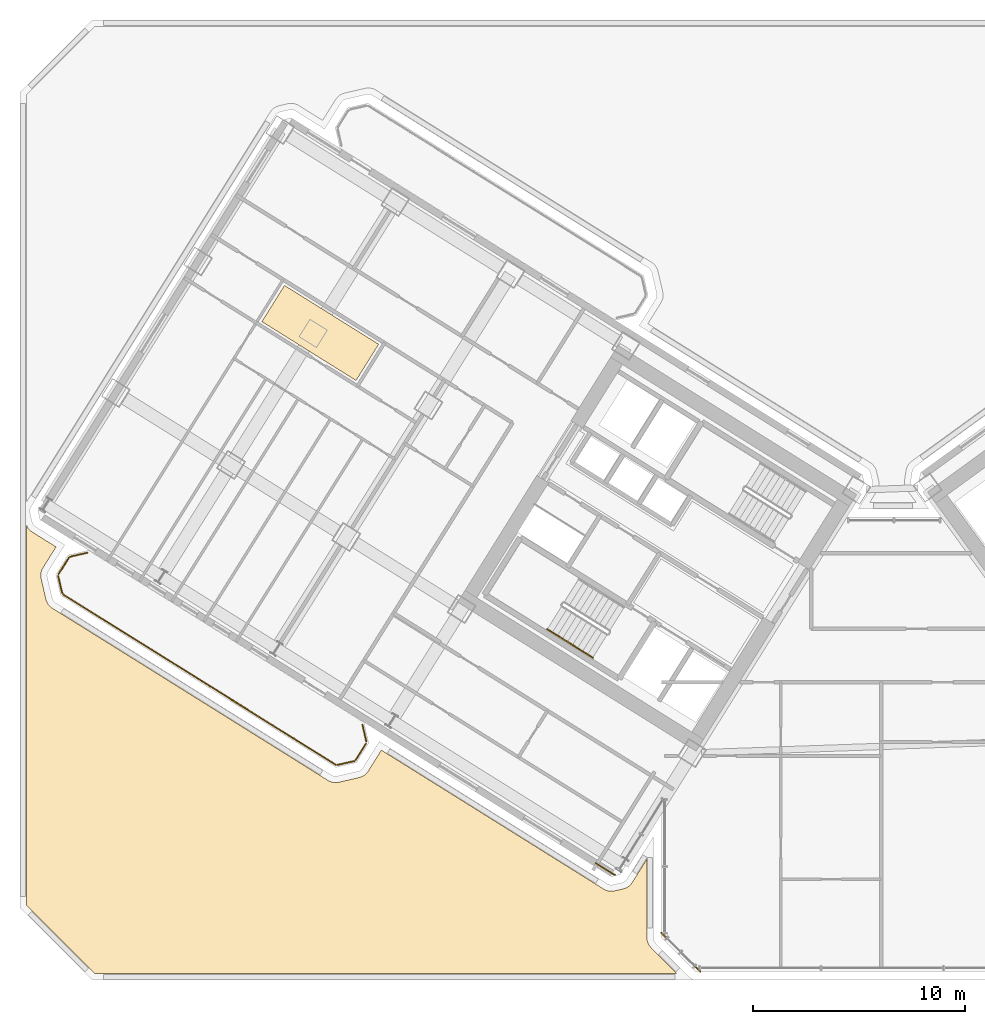
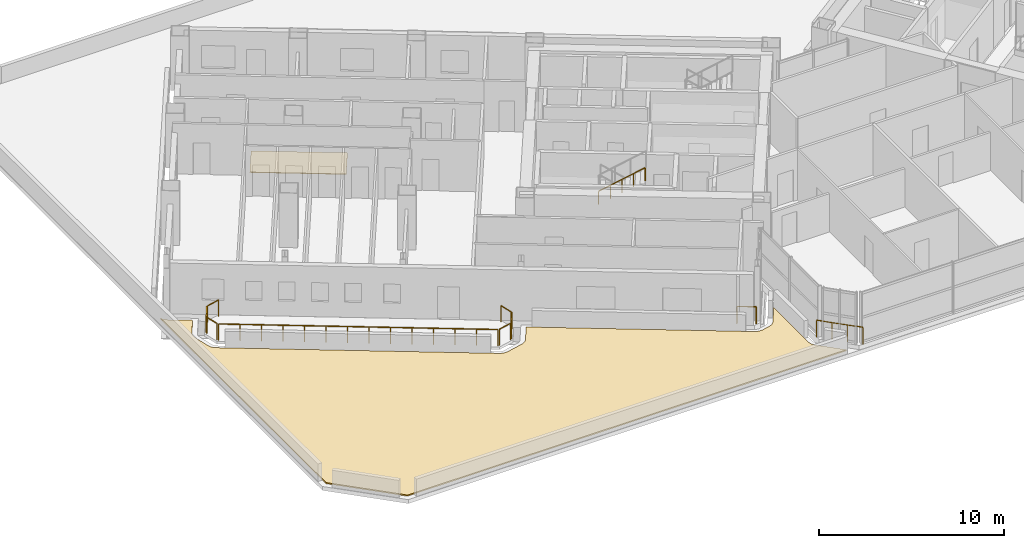
# One storey, part 22 of 28: 11 railings, 2 coverings.
"""IFC4 building model written with IfcOpenShell, lengths in metres."""

from ifc_helpers import new_model, si_unit, direction, frame, origin, origin_2d, place, context, subcontext, project, spatial, polyline, rectangle, outline, extrude, source, transform, mapped, material, layer, layer_set, type_object, element, save


model = new_model("IFC4")

# Units and contexts
model_context = context("Model", 3, precision=1e-05, world=origin(), true_north=direction((0.0, 1.0)))
body_context = subcontext(model_context, "Body", "Model", "MODEL_VIEW")
ifc_project = project(units=[si_unit("LENGTHUNIT", "METRE"), si_unit("AREAUNIT", "SQUARE_METRE"), si_unit("VOLUMEUNIT", "CUBIC_METRE"), si_unit("PLANEANGLEUNIT", "RADIAN"), si_unit("MASSUNIT", "GRAM", prefix="KILO")], contexts=[model_context])

# Site, building, storey
site_placement = place(None, origin())
site = spatial("IfcSite", under=ifc_project, at=site_placement, CompositionType="ELEMENT")
building_placement = place(site_placement, origin())
building = spatial("IfcBuilding", under=site, at=building_placement, Name="Tlacorven Tower", CompositionType="ELEMENT")
storey_placement = place(building_placement, frame((0.0, 0.0, 24.0)))
storey = spatial("IfcBuildingStorey", under=building, at=storey_placement, Name="L05", CompositionType="ELEMENT", Elevation=24.0)

# Coverings
ifc_material_1 = material(Name="Terrazzo and ceramic flooring")
ifc_layer_1 = layer(ifc_material_1, 0.0400390625)
ifc_layer_set_1 = layer_set([ifc_layer_1], Name="Terrazzo and ceramic flooring")
covering_type_1 = type_object("IfcCoveringType", Name="CV-FLR-TERZ", PredefinedType="FLOORING", material=ifc_layer_set_1)
covering_1_placement = place(storey_placement, origin())
element("IfcCovering", 1, at=covering_1_placement, inside=storey, type_object=covering_type_1, Name="L05 Porcelain Wet-Room Floor Finish 6", PredefinedType="FLOORING", context=body_context, shape_type="SweptSolid", body=[
    extrude(outline(polyline([(17.221923828125, 29.6279296875), (12.790771484375, 32.396728515625), (13.85595703125, 34.101318359375), (18.287109375, 31.33251953125), (17.221923828125, 29.6279296875)])), origin(), (0.0, 0.0, 1.0), 0.0400390625),
])
ifc_material_2 = material(Name="EPDM waterproofing membrane and rigid insulation")
ifc_layer_2 = layer(ifc_material_2, 0.080078125)
ifc_layer_set_2 = layer_set([ifc_layer_2], Name="EPDM waterproofing membrane and rigid insulation")
covering_type_2 = type_object("IfcCoveringType", Name="CV-ROF-MEMB", PredefinedType="ROOFING", material=ifc_layer_set_2)
covering_2_placement = place(storey_placement, origin())
element("IfcCovering", 2, at=covering_2_placement, inside=storey, type_object=covering_type_2, Name="L05 Podium Roof Waterproofing Membrane 1.1", PredefinedType="ROOFING", context=body_context, shape_type="SweptSolid", body=[
    extrude(outline(polyline([(1.699951171875, 22.8359375), (1.71337890625, 22.802001953125), (1.725341796875, 22.775146484375), (1.742431640625, 22.741943359375), (1.757080078125, 22.71630859375), (1.77734375, 22.68505859375), (1.79443359375, 22.6611328125), (1.8173828125, 22.6318359375), (1.8369140625, 22.609619140625), (1.86279296875, 22.582763671875), (1.884033203125, 22.5625), (1.91259765625, 22.538330078125), (1.935791015625, 22.5205078125), (1.966552734375, 22.4990234375), (1.978759765625, 22.490966796875), (3.09814453125, 21.79150390625), (2.4833984375, 20.807861328125), (2.47607421875, 20.795166015625), (2.457763671875, 20.762451171875), (2.444580078125, 20.736083984375), (2.4296875, 20.701904296875), (2.41943359375, 20.674560546875), (2.407958984375, 20.638916015625), (2.400146484375, 20.610595703125), (2.392333984375, 20.57421875), (2.387451171875, 20.545166015625), (2.383056640625, 20.508056640625), (2.381103515625, 20.478759765625), (2.38037109375, 20.44140625), (2.38134765625, 20.412109375), (2.38427734375, 20.374755859375), (2.387939453125, 20.345703125), (2.39453125, 20.308837890625), (2.3974609375, 20.29443359375), (2.620361328125, 19.329833984375), (2.6240234375, 19.315673828125), (2.634033203125, 19.27978515625), (2.6435546875, 19.251953125), (2.6572265625, 19.217041015625), (2.669189453125, 19.1904296875), (2.686279296875, 19.1572265625), (2.700927734375, 19.131591796875), (2.720947265625, 19.10009765625), (2.738037109375, 19.076171875), (2.76123046875, 19.046875), (2.780517578125, 19.02490234375), (2.806396484375, 18.998046875), (2.827880859375, 18.977783203125), (2.856201171875, 18.95361328125), (2.879638671875, 18.935546875), (2.91015625, 18.914306640625), (2.92236328125, 18.90625), (15.897705078125, 10.79833984375), (15.910400390625, 10.791015625), (15.94287109375, 10.772705078125), (15.96923828125, 10.759765625), (16.00341796875, 10.744873046875), (16.031005859375, 10.734375), (16.06640625, 10.722900390625), (16.0947265625, 10.715087890625), (16.13134765625, 10.707275390625), (16.160400390625, 10.702392578125), (16.197265625, 10.697998046875), (16.226806640625, 10.696044921875), (16.263916015625, 10.6953125), (16.29345703125, 10.6962890625), (16.33056640625, 10.69921875), (16.35986328125, 10.702880859375), (16.396484375, 10.70947265625), (16.410888671875, 10.712646484375), (17.37548828125, 10.935302734375), (17.3896484375, 10.93896484375), (17.425537109375, 10.948974609375), (17.45361328125, 10.95849609375), (17.48828125, 10.97216796875), (17.51513671875, 10.984130859375), (17.54833984375, 11.001220703125), (17.57373046875, 11.015869140625), (17.605224609375, 11.035888671875), (17.629150390625, 11.052978515625), (17.658447265625, 11.076171875), (17.6806640625, 11.095458984375), (17.70751953125, 11.121337890625), (17.7275390625, 11.142822265625), (17.751953125, 11.171142578125), (17.769775390625, 11.194580078125), (17.791015625, 11.22509765625), (17.79931640625, 11.237548828125), (18.413818359375, 12.22119140625), (28.87890625, 5.681884765625), (28.8916015625, 5.674560546875), (28.924072265625, 5.65625), (28.950439453125, 5.643310546875), (28.984619140625, 5.62841796875), (29.01220703125, 5.617919921875), (29.047607421875, 5.6064453125), (29.076171875, 5.5986328125), (29.112548828125, 5.5908203125), (29.1416015625, 5.5859375), (29.178466796875, 5.58154296875), (29.2080078125, 5.57958984375), (29.2451171875, 5.578857421875), (29.274658203125, 5.579833984375), (29.311767578125, 5.582763671875), (29.341064453125, 5.58642578125), (29.377685546875, 5.593017578125), (29.39208984375, 5.59619140625), (29.805419921875, 5.691650390625), (29.81982421875, 5.695068359375), (29.855712890625, 5.705322265625), (29.883544921875, 5.71484375), (29.918212890625, 5.728271484375), (29.945068359375, 5.740478515625), (29.978271484375, 5.75732421875), (30.00390625, 5.772216796875), (30.03515625, 5.792236328125), (30.059326171875, 5.809326171875), (30.08837890625, 5.83251953125), (30.110595703125, 5.851806640625), (30.137451171875, 5.877685546875), (30.15771484375, 5.899169921875), (30.181884765625, 5.927490234375), (30.199951171875, 5.950927734375), (30.22119140625, 5.9814453125), (30.229248046875, 5.99365234375), (30.919921875, 7.09912109375), (30.919921875, 3.39990234375), (30.92041015625, 3.38525390625), (30.922119140625, 3.34814453125), (30.925048828125, 3.31884765625), (30.9306640625, 3.28173828125), (30.936279296875, 3.2529296875), (30.9453125, 3.216796875), (30.953857421875, 3.188720703125), (30.966552734375, 3.153564453125), (30.977783203125, 3.126220703125), (30.99365234375, 3.092529296875), (31.007568359375, 3.066650390625), (31.026611328125, 3.03466796875), (31.04296875, 3.01025390625), (31.065185546875, 2.980224609375), (31.083984375, 2.95751953125), (31.109130859375, 2.929931640625), (31.119140625, 2.919189453125), (32.33837890625, 1.699951171875), (4.92431640625, 1.699951171875), (1.699951171875, 4.92431640625), (1.699951171875, 22.8359375)])), origin(), (0.0, 0.0, 1.0), 0.080078125),
])

# Railings
ifc_material_3 = material(Name="Aluminium and painted steel balustrade", Category="steel")
railing_type_1 = type_object("IfcRailingType", Name="RL-BAL-1100", PredefinedType="BALUSTRADE", material=ifc_material_3)
shared_shape_1 = source(origin(), body_context, "Body", "SweptSolid", [
    extrude(rectangle(XDim=0.048095703125, YDim=0.048095703125, at=origin_2d()), frame((0.0, 0.0, 1.076171875), z_axis=(0.225058334816, -0.974345290916, 0.0), x_axis=(0.974345290916, 0.225058334816, 0.0)), (0.0, 0.0, 1.0), 0.80712890625),
    extrude(rectangle(XDim=0.0419921875, YDim=0.0419921875, at=origin_2d()), origin(), (0.0, 0.0, 1.0), 1.052001953125),
    extrude(rectangle(XDim=0.0419921875, YDim=0.0419921875, at=origin_2d()), frame((0.181640625, -0.786376953125, 0.0)), (0.0, 0.0, 1.0), 1.052001953125),
])
railing_1_placement = place(storey_placement, frame((17.5244140625, 13.413330078125, 0.0)))
element("IfcRailing", 3, at=railing_1_placement, inside=storey, type_object=railing_type_1, Name="BAL-L05-W-OUT Guard Railing 1", PredefinedType="BALUSTRADE", context=body_context, shape_type="MappedRepresentation", body=[
    mapped(shared_shape_1, transform((0.0, 0.0, 0.0), scale=1.0)),
])
shared_shape_2 = source(origin(), body_context, "Body", "SweptSolid", [
    extrude(rectangle(XDim=0.048095703125, YDim=0.048095703125, at=origin_2d()), frame((0.0, 0.0, 1.076171875), z_axis=(-0.52987865805, -0.848073468364, 0.0), x_axis=(0.848073468364, -0.52987865805, 0.0)), (0.0, 0.0, 1.0), 0.912353515625),
    extrude(rectangle(XDim=0.0419921875, YDim=0.0419921875, at=origin_2d()), origin(), (0.0, 0.0, 1.0), 1.052001953125),
    extrude(rectangle(XDim=0.0419921875, YDim=0.0419921875, at=origin_2d()), frame((-0.4833984375, -0.773681640625, 0.0)), (0.0, 0.0, 1.0), 1.052001953125),
])
railing_2_placement = place(storey_placement, frame((17.690673828125, 12.535888671875, 0.0)))
element("IfcRailing", 4, at=railing_2_placement, inside=storey, type_object=railing_type_1, Name="BAL-L05-W-OUT Guard Railing 2", PredefinedType="BALUSTRADE", context=body_context, shape_type="MappedRepresentation", body=[
    mapped(shared_shape_2, transform((0.0, 0.0, 0.0), scale=1.0)),
])
shared_shape_3 = source(origin(), body_context, "Body", "SweptSolid", [
    extrude(rectangle(XDim=0.048095703125, YDim=0.048095703125, at=origin_2d()), frame((0.0, 0.0, 1.076171875), z_axis=(-0.974411586182, -0.224771129628, 0.0), x_axis=(0.224771129628, -0.974411586182, 0.0)), (0.0, 0.0, 1.0), 0.80712890625),
    extrude(rectangle(XDim=0.0419921875, YDim=0.0419921875, at=origin_2d()), origin(), (0.0, 0.0, 1.0), 1.052001953125),
    extrude(rectangle(XDim=0.0419921875, YDim=0.0419921875, at=origin_2d()), frame((-0.786376953125, -0.181396484375, 0.0)), (0.0, 0.0, 1.0), 1.052001953125),
])
railing_3_placement = place(storey_placement, frame((17.132080078125, 11.70849609375, 0.0)))
element("IfcRailing", 5, at=railing_3_placement, inside=storey, type_object=railing_type_1, Name="BAL-L05-W-OUT Guard Railing 3", PredefinedType="BALUSTRADE", context=body_context, shape_type="MappedRepresentation", body=[
    mapped(shared_shape_3, transform((0.0, 0.0, 0.0), scale=1.0)),
])
shared_shape_4 = source(origin(), body_context, "Body", "SweptSolid", [
    extrude(rectangle(XDim=0.048095703125, YDim=0.048095703125, at=origin_2d()), frame((0.0, 0.0, 1.076171875), z_axis=(-0.848044572804, 0.529924902733, 0.0), x_axis=(-0.529924902733, -0.848044572804, 0.0)), (0.0, 0.0, 1.0), 15.1171875),
    extrude(rectangle(XDim=0.0419921875, YDim=0.0419921875, at=origin_2d()), origin(), (0.0, 0.0, 1.0), 1.052001953125),
    extrude(rectangle(XDim=0.0419921875, YDim=0.0419921875, at=origin_2d()), frame((-0.986083984375, 0.6162109375, 0.0)), (0.0, 0.0, 1.0), 1.052001953125),
    extrude(rectangle(XDim=0.0419921875, YDim=0.0419921875, at=origin_2d()), frame((-1.972412109375, 1.232421875, 0.0)), (0.0, 0.0, 1.0), 1.052001953125),
    extrude(rectangle(XDim=0.0419921875, YDim=0.0419921875, at=origin_2d()), frame((-2.95849609375, 1.8486328125, 0.0)), (0.0, 0.0, 1.0), 1.052001953125),
    extrude(rectangle(XDim=0.0419921875, YDim=0.0419921875, at=origin_2d()), frame((-3.944580078125, 2.46484375, 0.0)), (0.0, 0.0, 1.0), 1.052001953125),
    extrude(rectangle(XDim=0.0419921875, YDim=0.0419921875, at=origin_2d()), frame((-4.930908203125, 3.0810546875, 0.0)), (0.0, 0.0, 1.0), 1.052001953125),
    extrude(rectangle(XDim=0.0419921875, YDim=0.0419921875, at=origin_2d()), frame((-5.9169921875, 3.697265625, 0.0)), (0.0, 0.0, 1.0), 1.052001953125),
    extrude(rectangle(XDim=0.0419921875, YDim=0.0419921875, at=origin_2d()), frame((-6.903076171875, 4.313720703125, 0.0)), (0.0, 0.0, 1.0), 1.052001953125),
    extrude(rectangle(XDim=0.0419921875, YDim=0.0419921875, at=origin_2d()), frame((-7.88916015625, 4.929931640625, 0.0)), (0.0, 0.0, 1.0), 1.052001953125),
    extrude(rectangle(XDim=0.0419921875, YDim=0.0419921875, at=origin_2d()), frame((-8.87548828125, 5.546142578125, 0.0)), (0.0, 0.0, 1.0), 1.052001953125),
    extrude(rectangle(XDim=0.0419921875, YDim=0.0419921875, at=origin_2d()), frame((-9.861572265625, 6.162353515625, 0.0)), (0.0, 0.0, 1.0), 1.052001953125),
    extrude(rectangle(XDim=0.0419921875, YDim=0.0419921875, at=origin_2d()), frame((-10.84765625, 6.778564453125, 0.0)), (0.0, 0.0, 1.0), 1.052001953125),
    extrude(rectangle(XDim=0.0419921875, YDim=0.0419921875, at=origin_2d()), frame((-11.833984375, 7.394775390625, 0.0)), (0.0, 0.0, 1.0), 1.052001953125),
    extrude(rectangle(XDim=0.0419921875, YDim=0.0419921875, at=origin_2d()), frame((-12.820068359375, 8.010986328125, 0.0)), (0.0, 0.0, 1.0), 1.052001953125),
])
railing_4_placement = place(storey_placement, frame((16.254638671875, 11.542236328125, 0.0)))
element("IfcRailing", 6, at=railing_4_placement, inside=storey, type_object=railing_type_1, Name="BAL-L05-W-OUT Guard Railing 4", PredefinedType="BALUSTRADE", context=body_context, shape_type="MappedRepresentation", body=[
    mapped(shared_shape_4, transform((0.0, 0.0, 0.0), scale=1.0)),
])
shared_shape_5 = source(origin(), body_context, "Body", "SweptSolid", [
    extrude(rectangle(XDim=0.048095703125, YDim=0.048095703125, at=origin_2d()), frame((0.0, 0.0, 1.076171875), z_axis=(-0.225058334816, 0.974345290916, 0.0), x_axis=(-0.974345290916, -0.225058334816, 0.0)), (0.0, 0.0, 1.0), 0.80712890625),
    extrude(rectangle(XDim=0.0419921875, YDim=0.0419921875, at=origin_2d()), origin(), (0.0, 0.0, 1.0), 1.052001953125),
    extrude(rectangle(XDim=0.0419921875, YDim=0.0419921875, at=origin_2d()), frame((-0.181640625, 0.786376953125, 0.0)), (0.0, 0.0, 1.0), 1.052001953125),
])
railing_5_placement = place(storey_placement, frame((3.380859375, 19.62841796875, 0.0)))
element("IfcRailing", 7, at=railing_5_placement, inside=storey, type_object=railing_type_1, Name="BAL-L05-W-OUT Guard Railing 5", PredefinedType="BALUSTRADE", context=body_context, shape_type="MappedRepresentation", body=[
    mapped(shared_shape_5, transform((0.0, 0.0, 0.0), scale=1.0)),
])
shared_shape_6 = source(origin(), body_context, "Body", "SweptSolid", [
    extrude(rectangle(XDim=0.048095703125, YDim=0.048095703125, at=origin_2d()), frame((0.0, 0.0, 1.076171875), z_axis=(0.52987865805, 0.848073468364, 0.0), x_axis=(-0.848073468364, 0.52987865805, 0.0)), (0.0, 0.0, 1.0), 0.912353515625),
    extrude(rectangle(XDim=0.0419921875, YDim=0.0419921875, at=origin_2d()), origin(), (0.0, 0.0, 1.0), 1.052001953125),
    extrude(rectangle(XDim=0.0419921875, YDim=0.0419921875, at=origin_2d()), frame((0.4833984375, 0.773681640625, 0.0)), (0.0, 0.0, 1.0), 1.052001953125),
])
railing_6_placement = place(storey_placement, frame((3.214599609375, 20.505859375, 0.0)))
element("IfcRailing", 8, at=railing_6_placement, inside=storey, type_object=railing_type_1, Name="BAL-L05-W-OUT Guard Railing 6", PredefinedType="BALUSTRADE", context=body_context, shape_type="MappedRepresentation", body=[
    mapped(shared_shape_6, transform((0.0, 0.0, 0.0), scale=1.0)),
])
shared_shape_7 = source(origin(), body_context, "Body", "SweptSolid", [
    extrude(rectangle(XDim=0.048095703125, YDim=0.048095703125, at=origin_2d()), frame((0.0, 0.0, 1.076171875), z_axis=(0.974345290916, 0.225058334816, 0.0), x_axis=(-0.225058334816, 0.974345290916, 0.0)), (0.0, 0.0, 1.0), 0.80712890625),
    extrude(rectangle(XDim=0.0419921875, YDim=0.0419921875, at=origin_2d()), origin(), (0.0, 0.0, 1.0), 1.052001953125),
    extrude(rectangle(XDim=0.0419921875, YDim=0.0419921875, at=origin_2d()), frame((0.786376953125, 0.181640625, 0.0)), (0.0, 0.0, 1.0), 1.052001953125),
])
railing_7_placement = place(storey_placement, frame((3.773193359375, 21.3330078125, 0.0)))
element("IfcRailing", 9, at=railing_7_placement, inside=storey, type_object=railing_type_1, Name="BAL-L05-W-OUT Guard Railing 7", PredefinedType="BALUSTRADE", context=body_context, shape_type="MappedRepresentation", body=[
    mapped(shared_shape_7, transform((0.0, 0.0, 0.0), scale=1.0)),
])
railing_type_2 = type_object("IfcRailingType", Name="RL-GRD-1150", PredefinedType="GUARDRAIL", material=ifc_material_3)
shared_shape_8 = source(origin(), body_context, "Body", "SweptSolid", [
    extrude(rectangle(XDim=0.048095703125, YDim=0.048095703125, at=origin_2d()), frame((0.0, 0.0, 1.1259765625), z_axis=(-0.707106781187, 0.707106781187, 0.0), x_axis=(-0.707106781187, -0.707106781187, 0.0)), (0.0, 0.0, 1.0), 2.590087890625),
    extrude(rectangle(XDim=0.0419921875, YDim=0.0419921875, at=origin_2d()), origin(), (0.0, 0.0, 1.0), 1.101806640625),
    extrude(rectangle(XDim=0.0419921875, YDim=0.0419921875, at=origin_2d()), frame((-0.610595703125, 0.610595703125, 0.0)), (0.0, 0.0, 1.0), 1.101806640625),
    extrude(rectangle(XDim=0.0419921875, YDim=0.0419921875, at=origin_2d()), frame((-1.220947265625, 1.220947265625, 0.0)), (0.0, 0.0, 1.0), 1.101806640625),
    extrude(rectangle(XDim=0.0419921875, YDim=0.0419921875, at=origin_2d()), frame((-1.83154296875, 1.83154296875, 0.0)), (0.0, 0.0, 1.0), 1.101806640625),
])
railing_8_placement = place(storey_placement, frame((33.428955078125, 1.79736328125, 0.0)))
element("IfcRailing", 10, at=railing_8_placement, inside=storey, type_object=railing_type_2, Name="L05 Knuckle Glazed Sill Guard 1", PredefinedType="GUARDRAIL", context=body_context, shape_type="MappedRepresentation", body=[
    mapped(shared_shape_8, transform((0.0, 0.0, 0.0), scale=1.0)),
])
shared_shape_9 = source(origin(), body_context, "Body", "SweptSolid", [
    extrude(rectangle(XDim=0.048095703125, YDim=0.048095703125, at=origin_2d()), frame((0.0, 0.0, 1.1259765625), z_axis=(-0.848102774857, 0.529831749973, 0.0), x_axis=(-0.529831749973, -0.848102774857, 0.0)), (0.0, 0.0, 1.0), 1.050048828125),
    extrude(rectangle(XDim=0.0419921875, YDim=0.0419921875, at=origin_2d()), origin(), (0.0, 0.0, 1.0), 1.101806640625),
    extrude(rectangle(XDim=0.0419921875, YDim=0.0419921875, at=origin_2d()), frame((-0.890625, 0.556396484375, 0.0)), (0.0, 0.0, 1.0), 1.101806640625),
])
railing_9_placement = place(storey_placement, frame((29.39501953125, 6.35009765625, 0.0)))
element("IfcRailing", 11, at=railing_9_placement, inside=storey, type_object=railing_type_2, Name="L05 Knuckle Glazed Sill Guard 2", PredefinedType="GUARDRAIL", context=body_context, shape_type="MappedRepresentation", body=[
    mapped(shared_shape_9, transform((0.0, 0.0, 0.0), scale=1.0)),
])
railing_type_3 = type_object("IfcRailingType", Name="RL-HND-0900", PredefinedType="HANDRAIL", material=ifc_material_3)
shared_shape_10 = source(origin(), body_context, "Body", "SweptSolid", [
    extrude(rectangle(XDim=0.048095703125, YDim=0.048095703125, at=origin_2d()), frame((0.0, 0.0, 0.8759765625), z_axis=(0.713359751793, -0.4457479829, 0.540764828981), x_axis=(0.529911857636, 0.848052724267, 0.0)), (0.0, 0.0, 1.0), 1.498046875),
    extrude(rectangle(XDim=0.0419921875, YDim=0.0419921875, at=origin_2d()), origin(), (0.0, 0.0, 1.0), 0.851806640625),
    extrude(rectangle(XDim=0.0419921875, YDim=0.0419921875, at=origin_2d()), frame((0.5341796875, -0.333984375, 0.405029296875)), (0.0, 0.0, 1.0), 0.851806640625),
    extrude(rectangle(XDim=0.0419921875, YDim=0.0419921875, at=origin_2d()), frame((1.068603515625, -0.667724609375, 0.81005859375)), (0.0, 0.0, 1.0), 0.851806640625),
])
railing_10_placement = place(storey_placement, frame((26.228759765625, 17.915283203125, 1.97998046875)))
element("IfcRailing", 12, at=railing_10_placement, inside=storey, type_object=railing_type_3, Name="L05 ST-W1 stair handrail 3", PredefinedType="HANDRAIL", context=body_context, shape_type="MappedRepresentation", body=[
    mapped(shared_shape_10, transform((0.0, 0.0, 0.0), scale=1.0)),
])
shared_shape_11 = source(origin(), body_context, "Body", "SweptSolid", [
    extrude(rectangle(XDim=0.048095703125, YDim=0.048095703125, at=origin_2d()), frame((0.0, 0.0, 0.8759765625), z_axis=(0.713279695859, -0.445799809912, 0.540827703579), x_axis=(0.529998940003, 0.847998304005, 0.0)), (0.0, 0.0, 1.0), 1.497802734375),
    extrude(rectangle(XDim=0.0419921875, YDim=0.0419921875, at=origin_2d()), origin(), (0.0, 0.0, 1.0), 0.851806640625),
    extrude(rectangle(XDim=0.0419921875, YDim=0.0419921875, at=origin_2d()), frame((0.5341796875, -0.333984375, 0.405029296875)), (0.0, 0.0, 1.0), 0.851806640625),
    extrude(rectangle(XDim=0.0419921875, YDim=0.0419921875, at=origin_2d()), frame((1.068359375, -0.667724609375, 0.81005859375)), (0.0, 0.0, 1.0), 0.851806640625),
])
railing_11_placement = place(storey_placement, frame((27.29736328125, 17.24755859375, 2.7900390625)))
element("IfcRailing", 13, at=railing_11_placement, inside=storey, type_object=railing_type_3, Name="L05 ST-W1 stair handrail 4", PredefinedType="HANDRAIL", context=body_context, shape_type="MappedRepresentation", body=[
    mapped(shared_shape_11, transform((0.0, 0.0, 0.0), scale=1.0)),
])

save(model, "model.ifc")
